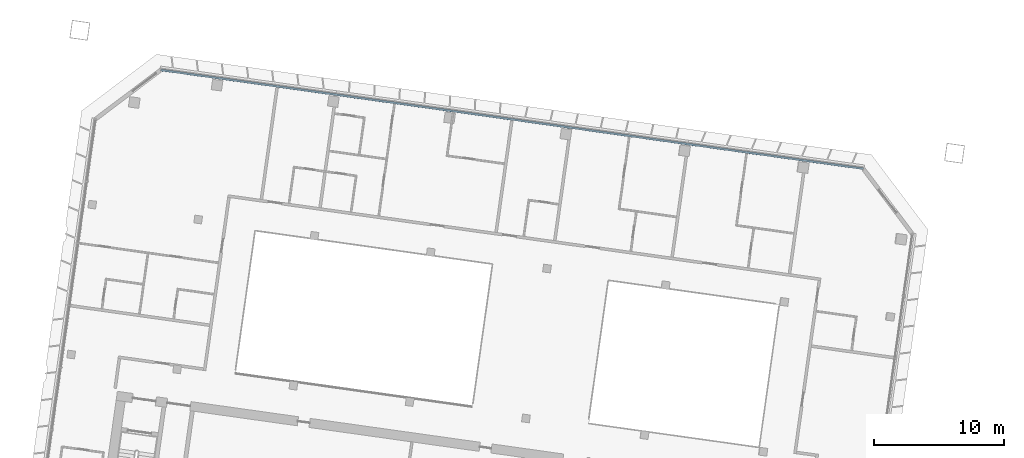
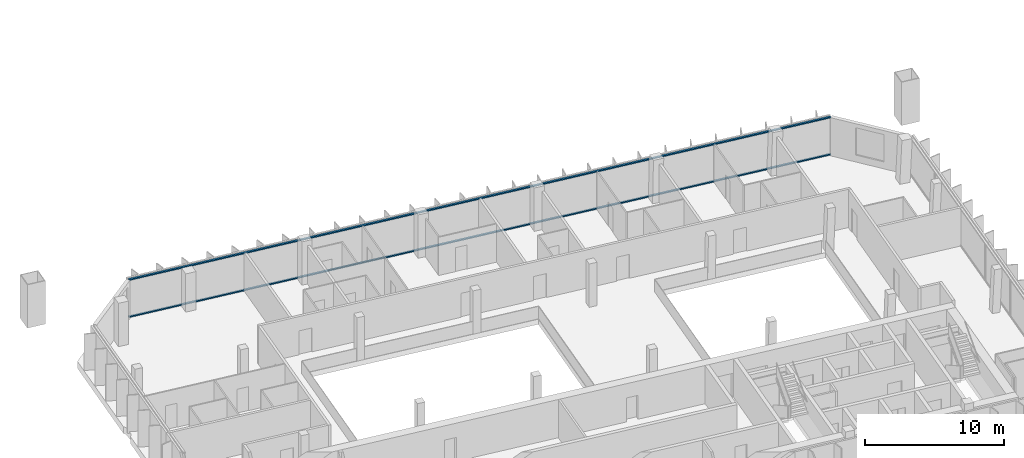
# One storey, part 4 of 25: 2 members, 1 element without a shape of its own.
"""IFC4 building model written with IfcOpenShell, lengths in metres."""

import ifcopenshell
import ifcopenshell.guid

model = None  # the IFC model being written
_history = None  # IfcOwnerHistory: only IFC2X3 demands one
_inside = {}  # id of a spatial element -> (the spatial element, [elements in it])
_under = {}  # id of a project, library or spatial element -> (it, [spatial elements below it])
_declared = {}  # id of a project -> (the project, [libraries it declares])
_typed = {}  # id of a type object -> (the type object, [elements of that type])
_made_of = {}  # id of a material, layer set ... -> (it, [elements and type objects made of it])


def new_model(schema):
    """Start an empty IFC model of exactly this schema.

    Asked for "IFC4X3", IfcOpenShell would pick the latest addendum, in which some entities
    have other attributes; the version numbers below select the first issue.
    IFC2X3 requires an IfcOwnerHistory on every rooted entity: one is made here for all.
    """
    global model, _history
    if schema == "IFC4X3":
        model = ifcopenshell.file(schema_version=(4, 3, 0, 0))
    else:
        model = ifcopenshell.file(schema=schema)
    _inside.clear()
    _under.clear()
    _declared.clear()
    _typed.clear()
    _made_of.clear()
    _history = None
    if model.schema == "IFC2X3":
        org = make("IfcOrganization", Name="unknown")
        user = make(
            "IfcPersonAndOrganization",
            ThePerson=make("IfcPerson", FamilyName="unknown"),
            TheOrganization=org,
        )
        app = make(
            "IfcApplication",
            ApplicationDeveloper=org,
            Version="unknown",
            ApplicationFullName="unknown",
            ApplicationIdentifier="unknown",
        )
        _history = make(
            "IfcOwnerHistory",
            OwningUser=user,
            OwningApplication=app,
            ChangeAction="ADDED",
            CreationDate=0,
        )
    return model


def make(cls, **values):
    """One entity of the class cls with the attributes given. An attribute that is None is left unset."""
    return model.create_entity(
        cls, **{name: value for name, value in values.items() if value is not None}
    )


def rooted(cls, **values):
    """An entity with a GlobalId (a new one), such as an element, a storey or a relation."""
    return make(cls, GlobalId=ifcopenshell.guid.new(), OwnerHistory=_history, **values)


def si_unit(unit_type, name, prefix=None):
    """IfcSIUnit, for example si_unit("LENGTHUNIT", "METRE", prefix="MILLI")."""
    return make("IfcSIUnit", UnitType=unit_type, Prefix=prefix, Name=name)


def assignment(units):
    """IfcUnitAssignment: the units of a project."""
    return None if units is None else make("IfcUnitAssignment", Units=units)


def point(xyz):
    """IfcCartesianPoint."""
    return None if xyz is None else make("IfcCartesianPoint", Coordinates=xyz)


def direction(xyz):
    """IfcDirection."""
    return None if xyz is None else make("IfcDirection", DirectionRatios=xyz)


def frame(location, z_axis=None, x_axis=None):
    """IfcAxis2Placement3D, a coordinate frame: its origin and axes. An axis left out is left unset."""
    return make(
        "IfcAxis2Placement3D",
        Location=point(location),
        Axis=direction(z_axis),
        RefDirection=direction(x_axis),
    )


def frame_2d(location, x_axis=None):
    """IfcAxis2Placement2D, a coordinate frame in the plane: its origin and x axis."""
    return make(
        "IfcAxis2Placement2D", Location=point(location), RefDirection=direction(x_axis)
    )


def origin():
    """The frame at (0, 0, 0) with its axes left unset."""
    return frame((0.0, 0.0, 0.0))


def origin_2d():
    """The frame at (0, 0) in the plane with its x axis left unset."""
    return frame_2d((0.0, 0.0))


def place(relative_to, where):
    """IfcLocalPlacement: puts the frame where relative to a parent placement (None: the world)."""
    return make(
        "IfcLocalPlacement", PlacementRelTo=relative_to, RelativePlacement=where
    )


def context(
    kind, dimensions, precision=None, world=None, true_north=None, identifier=None
):
    """IfcGeometricRepresentationContext, for example the 3D "Model" context."""
    return make(
        "IfcGeometricRepresentationContext",
        ContextIdentifier=identifier,
        ContextType=kind,
        CoordinateSpaceDimension=dimensions,
        Precision=precision,
        WorldCoordinateSystem=world,
        TrueNorth=true_north,
    )


def subcontext(parent, identifier, kind, view, scale=None):
    """IfcGeometricRepresentationSubContext, for example "Body" below "Model"."""
    return make(
        "IfcGeometricRepresentationSubContext",
        ContextIdentifier=identifier,
        ContextType=kind,
        ParentContext=parent,
        TargetScale=scale,
        TargetView=view,
    )


def project(units=None, contexts=None):
    """IfcProject with its units and contexts."""
    return rooted(
        "IfcProject",
        Name="project",
        RepresentationContexts=contexts,
        UnitsInContext=assignment(units),
    )


def spatial(cls, under=None, at=None, **own):
    """A site, building, storey or space (cls), placed at a placement, below another one or the project."""
    s = rooted(cls, ObjectPlacement=at, **own)
    if under is not None:
        _under.setdefault(under.id(), (under, []))[1].append(s)
    return s


def profile(cls, at=None, kind="AREA", **sizes):
    """A parametric profile (cls). Its sizes go by their IFC names, for example OverallWidth=200.0."""
    return make(cls, ProfileType=kind, Position=at, **sizes)


def rectangle(**sizes):
    """IfcRectangleProfileDef."""
    return profile("IfcRectangleProfileDef", **sizes)


def extrude(swept, where, along, depth):
    """IfcExtrudedAreaSolid: the profile swept, set in the frame where, extruded along a direction by depth."""
    return make(
        "IfcExtrudedAreaSolid",
        SweptArea=swept,
        Position=where,
        ExtrudedDirection=direction(along),
        Depth=depth,
    )


def shape(context_of_items, identifier, shape_type, items):
    """IfcShapeRepresentation: the items that make up one representation, for example the "Body"."""
    return make(
        "IfcShapeRepresentation",
        ContextOfItems=context_of_items,
        RepresentationIdentifier=identifier,
        RepresentationType=shape_type,
        Items=items,
    )


def material(Name=None, Category=None):
    """IfcMaterial."""
    return make("IfcMaterial", Name=Name, Category=Category)


def material_profile(
    of_material, cross_section, Name=None, Category=None, Priority=None
):
    """IfcMaterialProfile: a cross section and its material."""
    return make(
        "IfcMaterialProfile",
        Name=Name,
        Material=of_material,
        Profile=cross_section,
        Priority=Priority,
        Category=Category,
    )


def profile_set(profiles, Name=None, composite=None):
    """IfcMaterialProfileSet."""
    return make(
        "IfcMaterialProfileSet",
        Name=Name,
        MaterialProfiles=profiles,
        CompositeProfile=composite,
    )


def made_of(thing, what):
    """Note that an element or type object is made of a material, layer set ...; save() writes the relation."""
    if what is not None:
        _made_of.setdefault(what.id(), (what, []))[1].append(thing)
    return thing


def type_object(cls, material=None, **own):
    """A type object (cls), such as IfcWallType, which elements share."""
    return made_of(rooted(cls, **own), material)


def element(
    cls,
    number,
    at=None,
    inside=None,
    cuts=None,
    type_object=None,
    material=None,
    context=None,
    identifier="Body",
    shape_type=None,
    held_by="IfcProductDefinitionShape",
    body=None,
    shapes=None,
    **own,
):
    """One element of the class cls, such as IfcWall. Its Tag is "e" and its number.

    at: its placement. inside: the storey or other place that contains it. cuts: it is an
    opening in that element (IfcRelVoidsElement). A single representation is given by context,
    identifier, shape_type and body (its items); several are given by shapes. held_by: the class
    of the entity that holds the representations. save() writes the other relations.
    """
    e = rooted(cls, Tag="e%d" % number, ObjectPlacement=at, **own)
    if body is not None:
        shapes = [shape(context, identifier, shape_type, body)]
    if shapes is not None:
        e.Representation = make(held_by, Representations=shapes)
    if inside is not None:
        _inside.setdefault(inside.id(), (inside, []))[1].append(e)
    if cuts is not None:
        rooted(
            "IfcRelVoidsElement", RelatingBuildingElement=cuts, RelatedOpeningElement=e
        )
    if type_object is not None:
        _typed.setdefault(type_object.id(), (type_object, []))[1].append(e)
    return made_of(e, material)


def aggregate(whole, parts):
    """IfcRelAggregates: a whole, such as a stair, and the parts it consists of."""
    return rooted("IfcRelAggregates", RelatingObject=whole, RelatedObjects=parts)


def save(model, path):
    """Write the relations noted so far, then the file.

    IfcRelAggregates (storeys below a building ...), IfcRelContainedInSpatialStructure (elements
    in a storey), IfcRelDefinesByType, IfcRelAssociatesMaterial and IfcRelDeclares: one each for
    every whole, place, type object, material and project.
    """
    for whole, parts in _under.values():
        aggregate(whole, parts)
    for where, things in _inside.values():
        rooted(
            "IfcRelContainedInSpatialStructure",
            RelatedElements=things,
            RelatingStructure=where,
        )
    for kind, things in _typed.values():
        rooted("IfcRelDefinesByType", RelatedObjects=things, RelatingType=kind)
    for what, things in _made_of.values():
        rooted("IfcRelAssociatesMaterial", RelatedObjects=things, RelatingMaterial=what)
    for by, libraries in _declared.values():
        rooted("IfcRelDeclares", RelatingContext=by, RelatedDefinitions=libraries)
    model.write(path)


model = new_model("IFC4")

# Units and contexts
model_context = context("Model", 3, precision=1e-05, world=origin(), true_north=direction((0.0, 1.0)))
body_context = subcontext(model_context, "Body", "Model", "MODEL_VIEW")
ifc_project = project(units=[si_unit("LENGTHUNIT", "METRE"), si_unit("AREAUNIT", "SQUARE_METRE"), si_unit("VOLUMEUNIT", "CUBIC_METRE"), si_unit("PLANEANGLEUNIT", "RADIAN"), si_unit("MASSUNIT", "GRAM", prefix="KILO")], contexts=[model_context])

# Site, building, storey
site_placement = place(None, origin())
site = spatial("IfcSite", under=ifc_project, at=site_placement, CompositionType="ELEMENT")
building_placement = place(site_placement, origin())
building = spatial("IfcBuilding", under=site, at=building_placement, Name="Mirante Cascada Hotel Towers", CompositionType="ELEMENT")
storey_placement = place(building_placement, frame((0.0, 0.0, 172.6)))
storey = spatial("IfcBuildingStorey", under=building, at=storey_placement, Name="L40", CompositionType="ELEMENT", Elevation=172.6)

# Curtain wall, members
ifc_material_1 = material(Name="Aluminium mullion and transom frame with clear laminated glass", Category="aluminium")
curtain_wall_type = type_object("IfcCurtainWallType", Name="Ribbon curtain wall ECW1", PredefinedType="NOTDEFINED", material=ifc_material_1)
curtain_wall_placement = place(storey_placement, origin())
curtain_wall = element("IfcCurtainWall", 1, at=curtain_wall_placement, inside=storey, type_object=curtain_wall_type, Name="Front ribbon wall T1 L40", PredefinedType="NOTDEFINED")
ifc_material_2 = material(Name="Anodised aluminium extrusion", Category="aluminium")
ifc_material_profile = material_profile(ifc_material_2, rectangle(XDim=0.16, YDim=0.1, at=origin_2d()), Name="ECW1 TRANSOM 100x160")
ifc_profile_set = profile_set([ifc_material_profile], Name="Anodised aluminium extrusion")
member_type = type_object("IfcMemberType", Name="ECW1 transom 100x160", PredefinedType="USERDEFINED", material=ifc_profile_set)
member_1_placement = place(storey_placement, frame((-85.2457, 24.7995, 0.05), z_axis=(0.9902683, -0.1391718, 0.0), x_axis=(0.1391718, 0.9902683, 0.0)))
member_1 = element("IfcMember", 2, at=member_1_placement, type_object=member_type, Name="ECW1 sill transom", ObjectType="TRANSOM", PredefinedType="USERDEFINED", context=body_context, shape_type="SweptSolid", body=[
    extrude(rectangle(XDim=0.16, YDim=0.1, at=origin_2d()), origin(), (0.0, 0.0, 1.0), 54.3824),
])
member_2_placement = place(storey_placement, frame((-85.2457, 24.7995, 3.3), z_axis=(0.9902683, -0.1391718, 0.0), x_axis=(0.1391718, 0.9902683, 0.0)))
member_2 = element("IfcMember", 3, at=member_2_placement, type_object=member_type, Name="ECW1 head transom", ObjectType="TRANSOM", PredefinedType="USERDEFINED", context=body_context, shape_type="SweptSolid", body=[
    extrude(rectangle(XDim=0.16, YDim=0.1, at=origin_2d()), origin(), (0.0, 0.0, 1.0), 54.3824),
])
aggregate(curtain_wall, [member_1, member_2])

save(model, "model.ifc")
